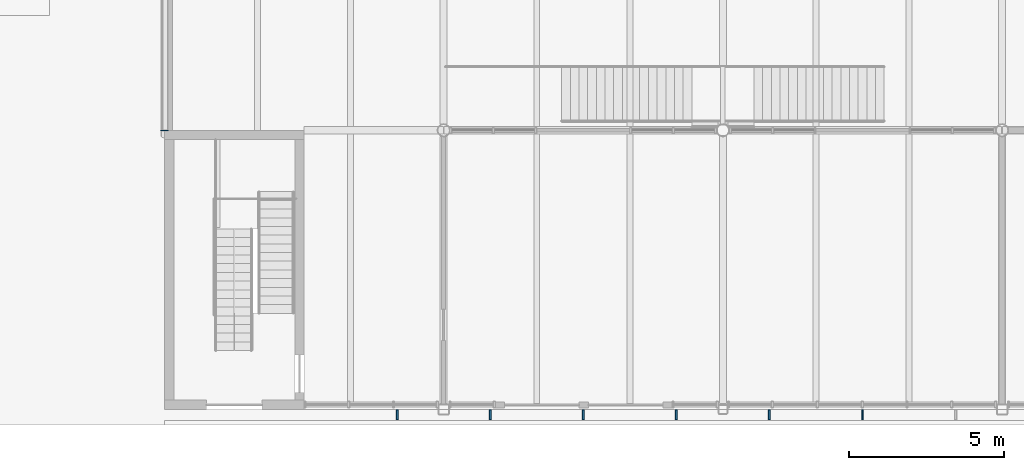
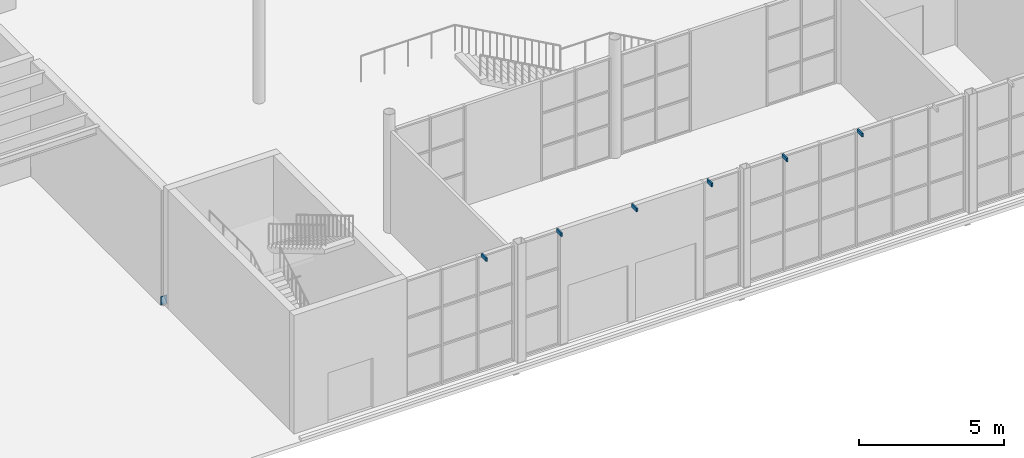
# One storey, part 48 of 63: 7 discrete accessories.
"""IFC4 building model written with IfcOpenShell, lengths in metres."""

from ifc_helpers import new_model, si_unit, direction, frame, origin, origin_2d, place, context, subcontext, project, spatial, rectangle, extrude, element, save


model = new_model("IFC4")

# Units and contexts
model_context = context("Model", 3, precision=1e-05, world=origin(), true_north=direction((0.0, 1.0)))
body_context = subcontext(model_context, "Body", "Model", "MODEL_VIEW")
ifc_project = project(units=[si_unit("LENGTHUNIT", "METRE"), si_unit("AREAUNIT", "SQUARE_METRE"), si_unit("VOLUMEUNIT", "CUBIC_METRE"), si_unit("PLANEANGLEUNIT", "RADIAN"), si_unit("MASSUNIT", "GRAM", prefix="KILO")], contexts=[model_context])

# Site, building, storey
site_placement = place(None, origin())
site = spatial("IfcSite", under=ifc_project, at=site_placement, CompositionType="ELEMENT")
building_placement = place(site_placement, origin())
building = spatial("IfcBuilding", under=site, at=building_placement, Name="Halyard Row Museum", CompositionType="ELEMENT")
storey_placement = place(building_placement, origin())
storey = spatial("IfcBuildingStorey", under=building, at=storey_placement, Name="L00", CompositionType="ELEMENT", Elevation=0.0)

# Discrete accessories
discrete_accessory_placement = place(storey_placement, frame((72.0, 9.0, 0.215087890625), z_axis=(0.0, -1.0, 0.0), x_axis=(1.0, 0.0, 0.0)))
element("IfcDiscreteAccessory", 1, at=discrete_accessory_placement, inside=storey, Name="Brace L00 X72 9-18 A cast-in plate", PredefinedType="ANCHORPLATE", context=body_context, shape_type="SweptSolid", body=[
    extrude(rectangle(XDim=0.25, YDim=0.35009765625, at=origin_2d()), origin(), (0.0, 0.0, 1.0), 0.02001953125),
])
for number, where, z_axis, x_axis, name in (
    (2, (79.5, -0.16259765625, 4.85009765625), (0.0, 0.0, 1.0), (1.0, 0.0, 0.0), "Fin bracket"),
    (3, (82.5, -0.16259765625, 4.85009765625), (0.0, 0.0, 1.0), (1.0, 0.0, 0.0), "Fin bracket"),
    (4, (85.5, -0.16259765625, 4.85009765625), (0.0, 0.0, 1.0), (1.0, 0.0, 0.0), "Fin bracket"),
    (5, (88.5, -0.16259765625, 4.85009765625), (0.0, 0.0, 1.0), (1.0, 0.0, 0.0), "Fin bracket"),
    (6, (91.5, -0.16259765625, 4.85009765625), (0.0, 0.0, 1.0), (1.0, 0.0, 0.0), "Fin bracket"),
    (7, (94.5, -0.16259765625, 4.85009765625), (0.0, 0.0, 1.0), (1.0, 0.0, 0.0), "Fin bracket"),
):
    element("IfcDiscreteAccessory", number, at=place(storey_placement, frame(where, z_axis=z_axis, x_axis=x_axis)), inside=storey, Name=name, PredefinedType="BRACKET", context=body_context, shape_type="SweptSolid", body=[
        extrude(rectangle(XDim=0.06005859375, YDim=0.324951171875, at=origin_2d()), origin(), (0.0, 0.0, 1.0), 0.14990234375),
    ])

save(model, "model.ifc")
